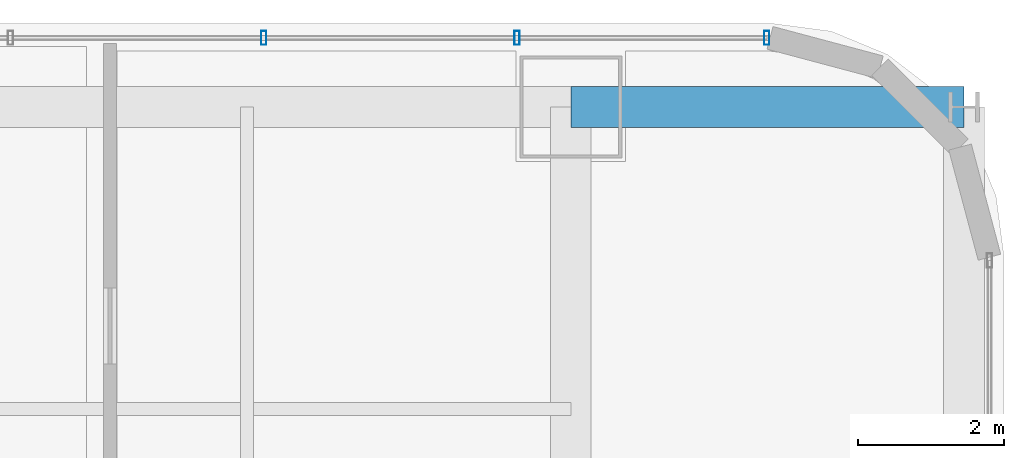
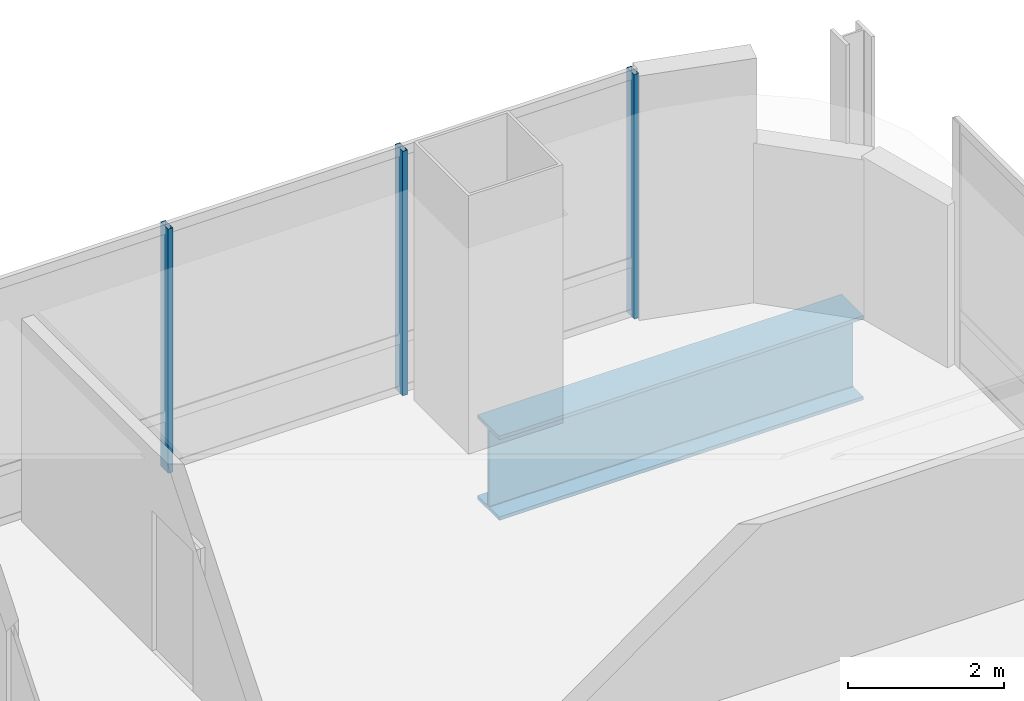
# One storey, part 26 of 41: 3 members, 1 beam, 1 element without a shape of its own.
"""IFC4 building model written with IfcOpenShell, lengths in metres."""

import ifcopenshell
import ifcopenshell.guid

model = None  # the IFC model being written
_history = None  # IfcOwnerHistory: only IFC2X3 demands one
_inside = {}  # id of a spatial element -> (the spatial element, [elements in it])
_under = {}  # id of a project, library or spatial element -> (it, [spatial elements below it])
_declared = {}  # id of a project -> (the project, [libraries it declares])
_typed = {}  # id of a type object -> (the type object, [elements of that type])
_made_of = {}  # id of a material, layer set ... -> (it, [elements and type objects made of it])


def new_model(schema):
    """Start an empty IFC model of exactly this schema.

    Asked for "IFC4X3", IfcOpenShell would pick the latest addendum, in which some entities
    have other attributes; the version numbers below select the first issue.
    IFC2X3 requires an IfcOwnerHistory on every rooted entity: one is made here for all.
    """
    global model, _history
    if schema == "IFC4X3":
        model = ifcopenshell.file(schema_version=(4, 3, 0, 0))
    else:
        model = ifcopenshell.file(schema=schema)
    _inside.clear()
    _under.clear()
    _declared.clear()
    _typed.clear()
    _made_of.clear()
    _history = None
    if model.schema == "IFC2X3":
        org = make("IfcOrganization", Name="unknown")
        user = make(
            "IfcPersonAndOrganization",
            ThePerson=make("IfcPerson", FamilyName="unknown"),
            TheOrganization=org,
        )
        app = make(
            "IfcApplication",
            ApplicationDeveloper=org,
            Version="unknown",
            ApplicationFullName="unknown",
            ApplicationIdentifier="unknown",
        )
        _history = make(
            "IfcOwnerHistory",
            OwningUser=user,
            OwningApplication=app,
            ChangeAction="ADDED",
            CreationDate=0,
        )
    return model


def make(cls, **values):
    """One entity of the class cls with the attributes given. An attribute that is None is left unset."""
    return model.create_entity(
        cls, **{name: value for name, value in values.items() if value is not None}
    )


def rooted(cls, **values):
    """An entity with a GlobalId (a new one), such as an element, a storey or a relation."""
    return make(cls, GlobalId=ifcopenshell.guid.new(), OwnerHistory=_history, **values)


def si_unit(unit_type, name, prefix=None):
    """IfcSIUnit, for example si_unit("LENGTHUNIT", "METRE", prefix="MILLI")."""
    return make("IfcSIUnit", UnitType=unit_type, Prefix=prefix, Name=name)


def assignment(units):
    """IfcUnitAssignment: the units of a project."""
    return None if units is None else make("IfcUnitAssignment", Units=units)


def point(xyz):
    """IfcCartesianPoint."""
    return None if xyz is None else make("IfcCartesianPoint", Coordinates=xyz)


def direction(xyz):
    """IfcDirection."""
    return None if xyz is None else make("IfcDirection", DirectionRatios=xyz)


def frame(location, z_axis=None, x_axis=None):
    """IfcAxis2Placement3D, a coordinate frame: its origin and axes. An axis left out is left unset."""
    return make(
        "IfcAxis2Placement3D",
        Location=point(location),
        Axis=direction(z_axis),
        RefDirection=direction(x_axis),
    )


def frame_2d(location, x_axis=None):
    """IfcAxis2Placement2D, a coordinate frame in the plane: its origin and x axis."""
    return make(
        "IfcAxis2Placement2D", Location=point(location), RefDirection=direction(x_axis)
    )


def origin():
    """The frame at (0, 0, 0) with its axes left unset."""
    return frame((0.0, 0.0, 0.0))


def origin_2d():
    """The frame at (0, 0) in the plane with its x axis left unset."""
    return frame_2d((0.0, 0.0))


def place(relative_to, where):
    """IfcLocalPlacement: puts the frame where relative to a parent placement (None: the world)."""
    return make(
        "IfcLocalPlacement", PlacementRelTo=relative_to, RelativePlacement=where
    )


def context(
    kind, dimensions, precision=None, world=None, true_north=None, identifier=None
):
    """IfcGeometricRepresentationContext, for example the 3D "Model" context."""
    return make(
        "IfcGeometricRepresentationContext",
        ContextIdentifier=identifier,
        ContextType=kind,
        CoordinateSpaceDimension=dimensions,
        Precision=precision,
        WorldCoordinateSystem=world,
        TrueNorth=true_north,
    )


def subcontext(parent, identifier, kind, view, scale=None):
    """IfcGeometricRepresentationSubContext, for example "Body" below "Model"."""
    return make(
        "IfcGeometricRepresentationSubContext",
        ContextIdentifier=identifier,
        ContextType=kind,
        ParentContext=parent,
        TargetScale=scale,
        TargetView=view,
    )


def project(units=None, contexts=None):
    """IfcProject with its units and contexts."""
    return rooted(
        "IfcProject",
        Name="project",
        RepresentationContexts=contexts,
        UnitsInContext=assignment(units),
    )


def spatial(cls, under=None, at=None, **own):
    """A site, building, storey or space (cls), placed at a placement, below another one or the project."""
    s = rooted(cls, ObjectPlacement=at, **own)
    if under is not None:
        _under.setdefault(under.id(), (under, []))[1].append(s)
    return s


def profile(cls, at=None, kind="AREA", **sizes):
    """A parametric profile (cls). Its sizes go by their IFC names, for example OverallWidth=200.0."""
    return make(cls, ProfileType=kind, Position=at, **sizes)


def hollow_rectangle(**sizes):
    """IfcRectangleHollowProfileDef."""
    return profile("IfcRectangleHollowProfileDef", **sizes)


def i_section(**sizes):
    """IfcIShapeProfileDef."""
    return profile("IfcIShapeProfileDef", **sizes)


def extrude(swept, where, along, depth):
    """IfcExtrudedAreaSolid: the profile swept, set in the frame where, extruded along a direction by depth."""
    return make(
        "IfcExtrudedAreaSolid",
        SweptArea=swept,
        Position=where,
        ExtrudedDirection=direction(along),
        Depth=depth,
    )


def shape(context_of_items, identifier, shape_type, items):
    """IfcShapeRepresentation: the items that make up one representation, for example the "Body"."""
    return make(
        "IfcShapeRepresentation",
        ContextOfItems=context_of_items,
        RepresentationIdentifier=identifier,
        RepresentationType=shape_type,
        Items=items,
    )


def material(Name=None, Category=None):
    """IfcMaterial."""
    return make("IfcMaterial", Name=Name, Category=Category)


def material_profile(
    of_material, cross_section, Name=None, Category=None, Priority=None
):
    """IfcMaterialProfile: a cross section and its material."""
    return make(
        "IfcMaterialProfile",
        Name=Name,
        Material=of_material,
        Profile=cross_section,
        Priority=Priority,
        Category=Category,
    )


def profile_set(profiles, Name=None, composite=None):
    """IfcMaterialProfileSet."""
    return make(
        "IfcMaterialProfileSet",
        Name=Name,
        MaterialProfiles=profiles,
        CompositeProfile=composite,
    )


def made_of(thing, what):
    """Note that an element or type object is made of a material, layer set ...; save() writes the relation."""
    if what is not None:
        _made_of.setdefault(what.id(), (what, []))[1].append(thing)
    return thing


def type_object(cls, material=None, **own):
    """A type object (cls), such as IfcWallType, which elements share."""
    return made_of(rooted(cls, **own), material)


def element(
    cls,
    number,
    at=None,
    inside=None,
    cuts=None,
    type_object=None,
    material=None,
    context=None,
    identifier="Body",
    shape_type=None,
    held_by="IfcProductDefinitionShape",
    body=None,
    shapes=None,
    **own,
):
    """One element of the class cls, such as IfcWall. Its Tag is "e" and its number.

    at: its placement. inside: the storey or other place that contains it. cuts: it is an
    opening in that element (IfcRelVoidsElement). A single representation is given by context,
    identifier, shape_type and body (its items); several are given by shapes. held_by: the class
    of the entity that holds the representations. save() writes the other relations.
    """
    e = rooted(cls, Tag="e%d" % number, ObjectPlacement=at, **own)
    if body is not None:
        shapes = [shape(context, identifier, shape_type, body)]
    if shapes is not None:
        e.Representation = make(held_by, Representations=shapes)
    if inside is not None:
        _inside.setdefault(inside.id(), (inside, []))[1].append(e)
    if cuts is not None:
        rooted(
            "IfcRelVoidsElement", RelatingBuildingElement=cuts, RelatedOpeningElement=e
        )
    if type_object is not None:
        _typed.setdefault(type_object.id(), (type_object, []))[1].append(e)
    return made_of(e, material)


def aggregate(whole, parts):
    """IfcRelAggregates: a whole, such as a stair, and the parts it consists of."""
    return rooted("IfcRelAggregates", RelatingObject=whole, RelatedObjects=parts)


def save(model, path):
    """Write the relations noted so far, then the file.

    IfcRelAggregates (storeys below a building ...), IfcRelContainedInSpatialStructure (elements
    in a storey), IfcRelDefinesByType, IfcRelAssociatesMaterial and IfcRelDeclares: one each for
    every whole, place, type object, material and project.
    """
    for whole, parts in _under.values():
        aggregate(whole, parts)
    for where, things in _inside.values():
        rooted(
            "IfcRelContainedInSpatialStructure",
            RelatedElements=things,
            RelatingStructure=where,
        )
    for kind, things in _typed.values():
        rooted("IfcRelDefinesByType", RelatedObjects=things, RelatingType=kind)
    for what, things in _made_of.values():
        rooted("IfcRelAssociatesMaterial", RelatedObjects=things, RelatingMaterial=what)
    for by, libraries in _declared.values():
        rooted("IfcRelDeclares", RelatingContext=by, RelatedDefinitions=libraries)
    model.write(path)


model = new_model("IFC4")

# Units and contexts
model_context = context("Model", 3, precision=1e-05, world=origin(), true_north=direction((0.0, 1.0)))
body_context = subcontext(model_context, "Body", "Model", "MODEL_VIEW")
ifc_project = project(units=[si_unit("LENGTHUNIT", "METRE"), si_unit("AREAUNIT", "SQUARE_METRE"), si_unit("VOLUMEUNIT", "CUBIC_METRE"), si_unit("PLANEANGLEUNIT", "RADIAN"), si_unit("MASSUNIT", "GRAM", prefix="KILO")], contexts=[model_context])

# Site, building, storey
site_placement = place(None, origin())
site = spatial("IfcSite", under=ifc_project, at=site_placement, CompositionType="ELEMENT")
building_placement = place(site_placement, origin())
building = spatial("IfcBuilding", under=site, at=building_placement, Name="Punatoya Terracotta Tower", CompositionType="ELEMENT")
storey_placement = place(building_placement, frame((0.0, 0.0, 220.800048828125)))
storey = spatial("IfcBuildingStorey", under=building, at=storey_placement, Name="L52", CompositionType="ELEMENT", Elevation=220.800048828125)

# Beam
ifc_material_1 = material(Name="Steel S460", Category="steel")
ifc_material_profile_1 = material_profile(ifc_material_1, i_section(OverallWidth=0.56005859375, OverallDepth=1.320068359375, WebThickness=0.035888671875, FlangeThickness=0.054931640625, FilletRadius=0.01806640625, at=origin_2d()))
ifc_profile_set_1 = profile_set([ifc_material_profile_1], Name="Steel S460")
beam_type = type_object("IfcBeamType", Name="BM-TG-BLK", PredefinedType="BEAM", material=ifc_profile_set_1)
beam_placement = place(storey_placement, frame((19.10009765625, 17.5, -0.880126953125), z_axis=(1.0, 0.0, 0.0), x_axis=(0.0, 1.0, 0.0)))
element("IfcBeam", 1, at=beam_placement, inside=storey, type_object=beam_type, Name="BM-L52-CANT-E4", PredefinedType="BEAM", context=body_context, shape_type="SweptSolid", body=[
    extrude(i_section(OverallWidth=0.56005859375, OverallDepth=1.320068359375, WebThickness=0.035888671875, FlangeThickness=0.054931640625, FilletRadius=0.01806640625, at=origin_2d()), origin(), (0.0, 0.0, 1.0), 5.39990234375),
])

# Curtain wall, members
ifc_material_2 = material(Name="Aluminium 6063-T6 + Double Low-E Glass", Category="aluminium")
curtain_wall_type = type_object("IfcCurtainWallType", Name="CW-M2", PredefinedType="NOTDEFINED", material=ifc_material_2)
curtain_wall_placement = place(storey_placement, origin())
curtain_wall = element("IfcCurtainWall", 2, at=curtain_wall_placement, inside=storey, type_object=curtain_wall_type, Name="L52 Curtain Wall CW-L52-N08-1", PredefinedType="NOTDEFINED")
ifc_material_3 = material(Name="Aluminium 6063-T6", Category="aluminium")
ifc_material_profile_2 = material_profile(ifc_material_3, hollow_rectangle(XDim=0.072021484375, YDim=0.195068359375, WallThickness=0.00439453125, at=origin_2d()))
ifc_profile_set_2 = profile_set([ifc_material_profile_2], Name="Aluminium 6063-T6")
member_type = type_object("IfcMemberType", Name="CW-MUL-M2", PredefinedType="MULLION", material=ifc_profile_set_2)
member_1_placement = place(storey_placement, frame((21.7919921875, 18.449951171875, 0.0), z_axis=(0.0, 0.0, 1.0), x_axis=(1.0, 0.0, 0.0)))
member_1 = element("IfcMember", 3, at=member_1_placement, type_object=member_type, Name="CW-L52-N08-1 Mullion 00", PredefinedType="MULLION", context=body_context, shape_type="SweptSolid", body=[
    extrude(hollow_rectangle(XDim=0.072021484375, YDim=0.195068359375, WallThickness=0.00439453125, at=origin_2d()), origin(), (0.0, 0.0, 1.0), 3.829833984375),
])
member_2_placement = place(storey_placement, frame((18.359619140625, 18.449951171875, 0.0), z_axis=(0.0, 0.0, 1.0), x_axis=(1.0, 0.0, 0.0)))
member_2 = element("IfcMember", 4, at=member_2_placement, type_object=member_type, Name="CW-L52-N08-1 Mullion 01", PredefinedType="MULLION", context=body_context, shape_type="SweptSolid", body=[
    extrude(hollow_rectangle(XDim=0.072021484375, YDim=0.195068359375, WallThickness=0.00439453125, at=origin_2d()), origin(), (0.0, 0.0, 1.0), 3.829833984375),
])
member_3_placement = place(storey_placement, frame((14.882080078125, 18.449951171875, 0.0), z_axis=(0.0, 0.0, 1.0), x_axis=(1.0, 0.0, 0.0)))
member_3 = element("IfcMember", 5, at=member_3_placement, type_object=member_type, Name="CW-L52-N08-1 Mullion 02", PredefinedType="MULLION", context=body_context, shape_type="SweptSolid", body=[
    extrude(hollow_rectangle(XDim=0.072021484375, YDim=0.195068359375, WallThickness=0.00439453125, at=origin_2d()), origin(), (0.0, 0.0, 1.0), 3.829833984375),
])
aggregate(curtain_wall, [member_1, member_2, member_3])

save(model, "model.ifc")
